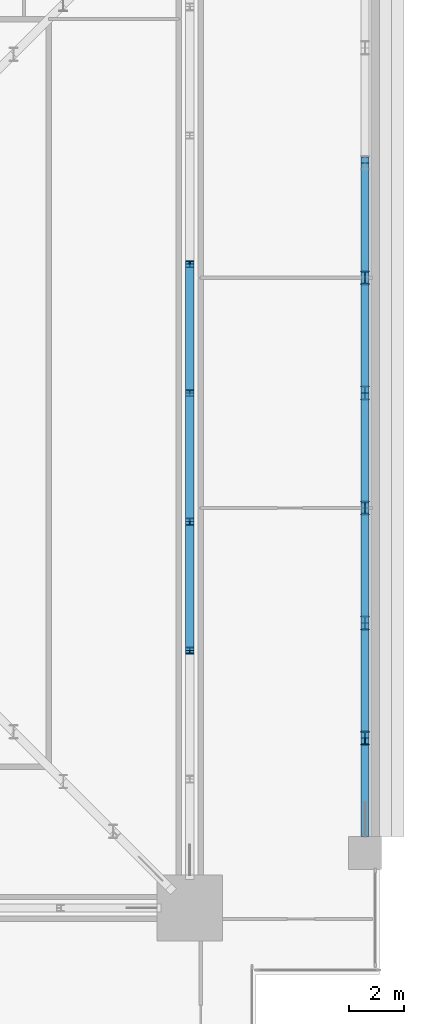
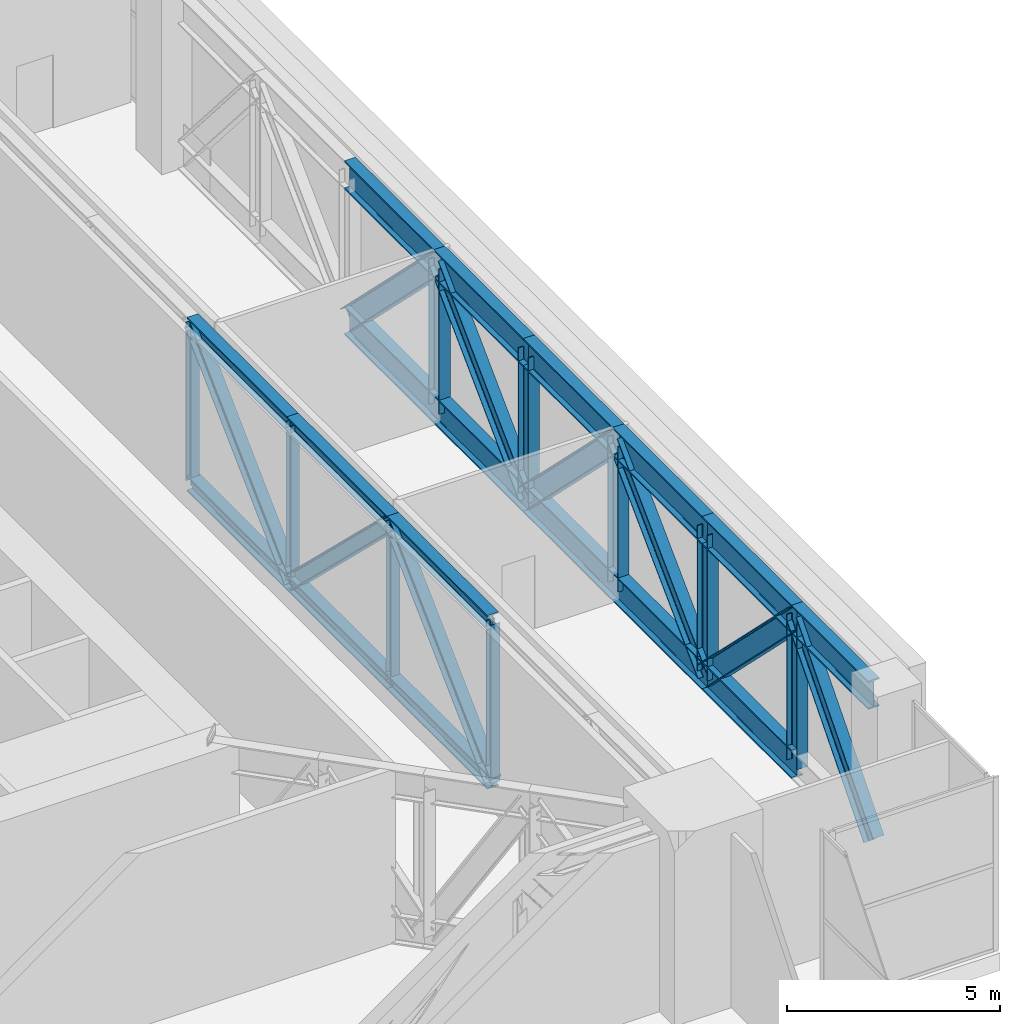
# One storey, part 6 of 21: 35 members.
"""IFC4 building model written with IfcOpenShell, lengths in metres."""

from ifc_helpers import new_model, si_unit, direction, frame, origin, origin_2d, place, context, subcontext, project, spatial, i_section, extrude, material, material_profile, profile_set, type_object, element, save


model = new_model("IFC4")

# Units and contexts
model_context = context("Model", 3, precision=1e-05, world=origin(), true_north=direction((0.0, 1.0)))
body_context = subcontext(model_context, "Body", "Model", "MODEL_VIEW")
ifc_project = project(units=[si_unit("LENGTHUNIT", "METRE"), si_unit("AREAUNIT", "SQUARE_METRE"), si_unit("VOLUMEUNIT", "CUBIC_METRE"), si_unit("PLANEANGLEUNIT", "RADIAN"), si_unit("MASSUNIT", "GRAM", prefix="KILO")], contexts=[model_context])

# Site, building, storey
site_placement = place(None, origin())
site = spatial("IfcSite", under=ifc_project, at=site_placement, CompositionType="ELEMENT")
building_placement = place(site_placement, origin())
building = spatial("IfcBuilding", under=site, at=building_placement, Name="Khepri Terraces", CompositionType="ELEMENT")
storey_placement = place(building_placement, frame((0.0, 0.0, 235.199951171875)))
storey = spatial("IfcBuildingStorey", under=building, at=storey_placement, Name="L56", CompositionType="ELEMENT", Elevation=235.199951171875)

# Members
ifc_material = material(Name="Steel S355", Category="steel")
ifc_material_profile_1 = material_profile(ifc_material, i_section(OverallWidth=0.306884765625, OverallDepth=0.431884765625, WebThickness=0.02099609375, FlangeThickness=0.0400390625, FilletRadius=0.027099609375, at=origin_2d()), Name="Steel S355", Category="steel")
ifc_profile_set_1 = profile_set([ifc_material_profile_1], Name="Steel S355")
member_type_1 = type_object("IfcMemberType", Name="Belt truss chord HEM 400", PredefinedType="CHORD", material=ifc_profile_set_1)
for number, where, z_axis, x_axis, name in (
    (1, (18.800048828125, -9.39990234375, 0.216064453125), (0.0, 1.0, 0.0), (-1.0, 0.0, 0.0), "Belt truss chord BT-56-E bottom 3"),
    (2, (18.800048828125, -9.39990234375, 4.76416015625), (0.0, 1.0, 0.0), (-1.0, 0.0, 0.0), "Belt truss chord BT-56-E top 3"),
    (3, (18.800048828125, -4.699951171875, 0.216064453125), (0.0, 1.0, 0.0), (-1.0, 0.0, 0.0), "Belt truss chord BT-56-E bottom 4"),
    (4, (18.800048828125, -4.699951171875, 4.76416015625), (0.0, 1.0, 0.0), (-1.0, 0.0, 0.0), "Belt truss chord BT-56-E top 4"),
    (5, (18.800048828125, 0.0, 0.216064453125), (0.0, 1.0, 0.0), (-1.0, 0.0, 0.0), "Belt truss chord BT-56-E bottom 5"),
    (6, (18.800048828125, 0.0, 4.76416015625), (0.0, 1.0, 0.0), (-1.0, 0.0, 0.0), "Belt truss chord BT-56-E top 5"),
):
    element("IfcMember", number, at=place(storey_placement, frame(where, z_axis=z_axis, x_axis=x_axis)), inside=storey, type_object=member_type_1, Name=name, PredefinedType="CHORD", context=body_context, shape_type="SweptSolid", body=[
        extrude(i_section(OverallWidth=0.306884765625, OverallDepth=0.431884765625, WebThickness=0.02099609375, FlangeThickness=0.0400390625, FilletRadius=0.027099609375, at=origin_2d()), origin(), (0.0, 0.0, 1.0), 4.699951171875),
    ])
ifc_material_profile_2 = material_profile(ifc_material, i_section(OverallWidth=0.300048828125, OverallDepth=0.39990234375, WebThickness=0.013427734375, FlangeThickness=0.02392578125, FilletRadius=0.027099609375, at=origin_2d()), Name="Steel S355", Category="steel")
ifc_profile_set_2 = profile_set([ifc_material_profile_2], Name="Steel S355")
member_type_2 = type_object("IfcMemberType", Name="Belt truss diagonal HEB 400", PredefinedType="BRACE", material=ifc_profile_set_2)
for number, where, z_axis, x_axis, name in (
    (7, (18.800048828125, -9.39990234375, 0.216064453125), (0.0, 0.718620795984, 0.695402150974), (-1.0, 0.0, 0.0), "Belt truss diagonal BT-56-E 3"),
    (8, (18.800048828125, -4.699951171875, 4.76416015625), (0.0, 0.718620795984, -0.695402150974), (-1.0, 0.0, 0.0), "Belt truss diagonal BT-56-E 4"),
    (9, (18.800048828125, 0.0, 0.216064453125), (0.0, 0.718620795984, 0.695402150974), (-1.0, 0.0, 0.0), "Belt truss diagonal BT-56-E 5"),
):
    element("IfcMember", number, at=place(storey_placement, frame(where, z_axis=z_axis, x_axis=x_axis)), inside=storey, type_object=member_type_2, Name=name, PredefinedType="BRACE", context=body_context, shape_type="SweptSolid", body=[
        extrude(i_section(OverallWidth=0.300048828125, OverallDepth=0.39990234375, WebThickness=0.013427734375, FlangeThickness=0.02392578125, FilletRadius=0.027099609375, at=origin_2d()), origin(), (0.0, 0.0, 1.0), 6.540283203125),
    ])
ifc_material_profile_3 = material_profile(ifc_material, i_section(OverallWidth=0.239990234375, OverallDepth=0.239990234375, WebThickness=0.010009765625, FlangeThickness=0.01708984375, FilletRadius=0.02099609375, at=origin_2d()), Name="Steel S355", Category="steel")
ifc_profile_set_3 = profile_set([ifc_material_profile_3], Name="Steel S355")
member_type_3 = type_object("IfcMemberType", Name="Belt truss post HEB 240", PredefinedType="POST", material=ifc_profile_set_3)
for number, where, z_axis, x_axis, name in (
    (10, (18.800048828125, -9.39990234375, 0.216064453125), (0.0, 0.0, 1.0), (1.0, 0.0, 0.0), "Belt truss post BT-56-E 2"),
    (11, (18.800048828125, -4.699951171875, 0.216064453125), (0.0, 0.0, 1.0), (1.0, 0.0, 0.0), "Belt truss post BT-56-E 3"),
    (12, (18.800048828125, 0.0, 0.216064453125), (0.0, 0.0, 1.0), (1.0, 0.0, 0.0), "Belt truss post BT-56-E 4"),
    (13, (18.800048828125, 4.699951171875, 0.216064453125), (0.0, 0.0, 1.0), (1.0, 0.0, 0.0), "Belt truss post BT-56-E 5"),
):
    element("IfcMember", number, at=place(storey_placement, frame(where, z_axis=z_axis, x_axis=x_axis)), inside=storey, type_object=member_type_3, Name=name, PredefinedType="POST", context=body_context, shape_type="SweptSolid", body=[
        extrude(i_section(OverallWidth=0.239990234375, OverallDepth=0.239990234375, WebThickness=0.010009765625, FlangeThickness=0.01708984375, FilletRadius=0.02099609375, at=origin_2d()), origin(), (0.0, 0.0, 1.0), 4.548095703125),
    ])
ifc_material_profile_4 = material_profile(ifc_material, i_section(OverallWidth=0.302978515625, OverallDepth=0.81396484375, WebThickness=0.02099609375, FlangeThickness=0.0400390625, FilletRadius=0.030029296875, at=origin_2d()), Name="Steel S355", Category="steel")
ifc_profile_set_4 = profile_set([ifc_material_profile_4], Name="Steel S355")
member_type_4 = type_object("IfcMemberType", Name="Transfer truss chord HEM 800", PredefinedType="CHORD", material=ifc_profile_set_4)
member_1_placement = place(storey_placement, frame((25.199951171875, -16.199951171875, 4.572998046875), z_axis=(0.0, 1.0, 0.0), x_axis=(-1.0, 0.0, 0.0)))
element("IfcMember", 14, at=member_1_placement, inside=storey, type_object=member_type_4, Name="Transfer truss chord TT-56-E top 1", PredefinedType="CHORD", context=body_context, shape_type="SweptSolid", body=[
    extrude(i_section(OverallWidth=0.302978515625, OverallDepth=0.81396484375, WebThickness=0.02099609375, FlangeThickness=0.0400390625, FilletRadius=0.030029296875, at=origin_2d()), origin(), (0.0, 0.0, 1.0), 3.599853515625),
])
for number, where, z_axis, x_axis, name in (
    (15, (25.199951171875, -12.60009765625, 0.406982421875), (0.0, 1.0, 0.0), (-1.0, 0.0, 0.0), "Transfer truss chord TT-56-E bottom 2"),
    (16, (25.199951171875, -12.60009765625, 4.572998046875), (0.0, 1.0, 0.0), (-1.0, 0.0, 0.0), "Transfer truss chord TT-56-E top 2"),
):
    element("IfcMember", number, at=place(storey_placement, frame(where, z_axis=z_axis, x_axis=x_axis)), inside=storey, type_object=member_type_4, Name=name, PredefinedType="CHORD", context=body_context, shape_type="SweptSolid", body=[
        extrude(i_section(OverallWidth=0.302978515625, OverallDepth=0.81396484375, WebThickness=0.02099609375, FlangeThickness=0.0400390625, FilletRadius=0.030029296875, at=origin_2d()), origin(), (0.0, 0.0, 1.0), 4.2001953125),
    ])
for number, where, z_axis, x_axis, name in (
    (17, (25.199951171875, -8.39990234375, 0.406982421875), (0.0, 1.0, 0.0), (-1.0, 0.0, 0.0), "Transfer truss chord TT-56-E bottom 3"),
    (18, (25.199951171875, -8.39990234375, 4.572998046875), (0.0, 1.0, 0.0), (-1.0, 0.0, 0.0), "Transfer truss chord TT-56-E top 3"),
    (19, (25.199951171875, -4.199951171875, 0.406982421875), (0.0, 1.0, 0.0), (-1.0, 0.0, 0.0), "Transfer truss chord TT-56-E bottom 4"),
    (20, (25.199951171875, -4.199951171875, 4.572998046875), (0.0, 1.0, 0.0), (-1.0, 0.0, 0.0), "Transfer truss chord TT-56-E top 4"),
    (21, (25.199951171875, 0.0, 0.406982421875), (0.0, 1.0, 0.0), (-1.0, 0.0, 0.0), "Transfer truss chord TT-56-E bottom 5"),
    (22, (25.199951171875, 0.0, 4.572998046875), (0.0, 1.0, 0.0), (-1.0, 0.0, 0.0), "Transfer truss chord TT-56-E top 5"),
    (23, (25.199951171875, 4.199951171875, 0.406982421875), (0.0, 1.0, 0.0), (-1.0, 0.0, 0.0), "Transfer truss chord TT-56-E bottom 6"),
    (24, (25.199951171875, 4.199951171875, 4.572998046875), (0.0, 1.0, 0.0), (-1.0, 0.0, 0.0), "Transfer truss chord TT-56-E top 6"),
):
    element("IfcMember", number, at=place(storey_placement, frame(where, z_axis=z_axis, x_axis=x_axis)), inside=storey, type_object=member_type_4, Name=name, PredefinedType="CHORD", context=body_context, shape_type="SweptSolid", body=[
        extrude(i_section(OverallWidth=0.302978515625, OverallDepth=0.81396484375, WebThickness=0.02099609375, FlangeThickness=0.0400390625, FilletRadius=0.030029296875, at=origin_2d()), origin(), (0.0, 0.0, 1.0), 4.199951171875),
    ])
ifc_material_profile_5 = material_profile(ifc_material, i_section(OverallWidth=0.300048828125, OverallDepth=0.590087890625, WebThickness=0.012939453125, FlangeThickness=0.02490234375, FilletRadius=0.027099609375, at=origin_2d()), Name="Steel S355", Category="steel")
ifc_profile_set_5 = profile_set([ifc_material_profile_5], Name="Steel S355")
member_type_5 = type_object("IfcMemberType", Name="Transfer truss diagonal HEA 600", PredefinedType="BRACE", material=ifc_profile_set_5)
member_2_placement = place(storey_placement, frame((25.199951171875, -16.199951171875, 0.406982421875), z_axis=(0.0, 0.653820723819, 0.756649496864), x_axis=(-1.0, 0.0, 0.0)))
element("IfcMember", 25, at=member_2_placement, inside=storey, type_object=member_type_5, Name="Transfer truss diagonal TT-56-E 1", PredefinedType="BRACE", context=body_context, shape_type="SweptSolid", body=[
    extrude(i_section(OverallWidth=0.300048828125, OverallDepth=0.590087890625, WebThickness=0.012939453125, FlangeThickness=0.02490234375, FilletRadius=0.027099609375, at=origin_2d()), origin(), (0.0, 0.0, 1.0), 5.505859375),
])
for number, where, z_axis, x_axis, name in (
    (26, (25.199951171875, -12.60009765625, 4.572998046875), (0.0, 0.709989701304, -0.704212059001), (-1.0, 0.0, 0.0), "Transfer truss diagonal TT-56-E 2"),
    (27, (25.199951171875, -8.39990234375, 0.406982421875), (0.0, 0.709969234567, 0.704232693056), (-1.0, 0.0, 0.0), "Transfer truss diagonal TT-56-E 3"),
    (28, (25.199951171875, -4.199951171875, 4.572998046875), (0.0, 0.709969234567, -0.704232693056), (-1.0, 0.0, 0.0), "Transfer truss diagonal TT-56-E 4"),
    (29, (25.199951171875, 0.0, 0.406982421875), (0.0, 0.709969234567, 0.704232693056), (-1.0, 0.0, 0.0), "Transfer truss diagonal TT-56-E 5"),
    (30, (25.199951171875, 4.199951171875, 4.572998046875), (0.0, 0.709969234567, -0.704232693056), (-1.0, 0.0, 0.0), "Transfer truss diagonal TT-56-E 6"),
):
    element("IfcMember", number, at=place(storey_placement, frame(where, z_axis=z_axis, x_axis=x_axis)), inside=storey, type_object=member_type_5, Name=name, PredefinedType="BRACE", context=body_context, shape_type="SweptSolid", body=[
        extrude(i_section(OverallWidth=0.300048828125, OverallDepth=0.590087890625, WebThickness=0.012939453125, FlangeThickness=0.02490234375, FilletRadius=0.027099609375, at=origin_2d()), origin(), (0.0, 0.0, 1.0), 5.915771484375),
    ])
ifc_material_profile_6 = material_profile(ifc_material, i_section(OverallWidth=0.300048828125, OverallDepth=0.5, WebThickness=0.014404296875, FlangeThickness=0.028076171875, FilletRadius=0.027099609375, at=origin_2d()), Name="Steel S355", Category="steel")
ifc_profile_set_6 = profile_set([ifc_material_profile_6], Name="Steel S355")
member_type_6 = type_object("IfcMemberType", Name="Transfer truss post HEB 500", PredefinedType="POST", material=ifc_profile_set_6)
for number, where, z_axis, x_axis, name in (
    (31, (25.199951171875, -12.60009765625, 0.406982421875), (0.0, 0.0, 1.0), (1.0, 0.0, 0.0), "Transfer truss post TT-56-E 1"),
    (32, (25.199951171875, -8.39990234375, 0.406982421875), (0.0, 0.0, 1.0), (1.0, 0.0, 0.0), "Transfer truss post TT-56-E 2"),
    (33, (25.199951171875, -4.199951171875, 0.406982421875), (0.0, 0.0, 1.0), (1.0, 0.0, 0.0), "Transfer truss post TT-56-E 3"),
    (34, (25.199951171875, 0.0, 0.406982421875), (0.0, 0.0, 1.0), (1.0, 0.0, 0.0), "Transfer truss post TT-56-E 4"),
    (35, (25.199951171875, 4.199951171875, 0.406982421875), (0.0, 0.0, 1.0), (1.0, 0.0, 0.0), "Transfer truss post TT-56-E 5"),
):
    element("IfcMember", number, at=place(storey_placement, frame(where, z_axis=z_axis, x_axis=x_axis)), inside=storey, type_object=member_type_6, Name=name, PredefinedType="POST", context=body_context, shape_type="SweptSolid", body=[
        extrude(i_section(OverallWidth=0.300048828125, OverallDepth=0.5, WebThickness=0.014404296875, FlangeThickness=0.028076171875, FilletRadius=0.027099609375, at=origin_2d()), origin(), (0.0, 0.0, 1.0), 4.166015625),
    ])

save(model, "model.ifc")
